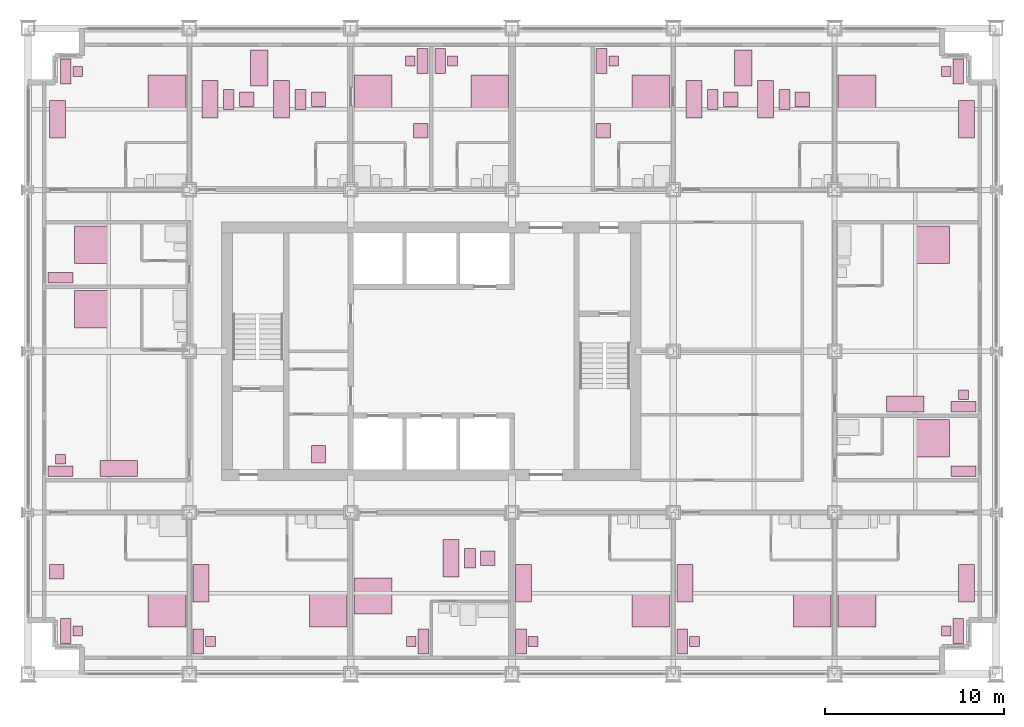
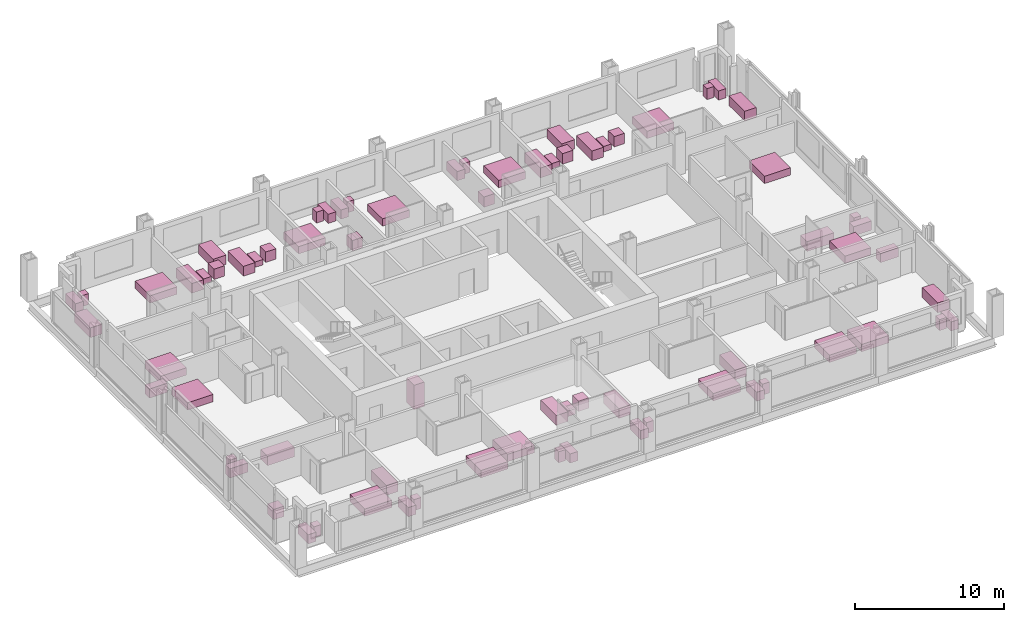
# One storey, part 18 of 18: 72 furniture elements.
"""IFC4 building model written with IfcOpenShell, lengths in metres."""

from ifc_helpers import new_model, si_unit, direction, frame, origin, origin_2d, place, context, subcontext, project, spatial, rectangle, extrude, element, save


model = new_model("IFC4")

# Units and contexts
model_context = context("Model", 3, precision=1e-05, world=origin(), true_north=direction((0.0, 1.0)))
body_context = subcontext(model_context, "Body", "Model", "MODEL_VIEW")
ifc_project = project(units=[si_unit("LENGTHUNIT", "METRE"), si_unit("AREAUNIT", "SQUARE_METRE"), si_unit("VOLUMEUNIT", "CUBIC_METRE"), si_unit("PLANEANGLEUNIT", "RADIAN"), si_unit("MASSUNIT", "GRAM", prefix="KILO")], contexts=[model_context])

# Site, building, storey
site_placement = place(None, origin())
site = spatial("IfcSite", under=ifc_project, at=site_placement, CompositionType="ELEMENT")
building_placement = place(site_placement, origin())
building = spatial("IfcBuilding", under=site, at=building_placement, Name="Loomwork Tower", CompositionType="ELEMENT")
storey_placement = place(building_placement, frame((0.0, 0.0, 41.60009765625)))
storey = spatial("IfcBuildingStorey", under=building, at=storey_placement, Name="L09", CompositionType="ELEMENT", Elevation=41.60009765625)

# Furniture
furniture_1_placement = place(storey_placement, frame((7.75, 3.60009765625, -0.000244140625), z_axis=(0.0, 0.0, 1.0), x_axis=(1.0, 0.0, 0.0)))
element("IfcFurniture", 1, at=furniture_1_placement, inside=storey, Name="King bed L09", PredefinedType="BED", context=body_context, shape_type="SweptSolid", body=[
    extrude(rectangle(XDim=2.10009765625, YDim=2.0, at=origin_2d()), origin(), (0.0, 0.0, 1.0), 0.60009765625),
])
furniture_2_placement = place(storey_placement, frame((2.10009765625, 2.39990234375, 0.0), z_axis=(0.0, 0.0, 1.0), x_axis=(1.0, 0.0, 0.0)))
element("IfcFurniture", 2, at=furniture_2_placement, inside=storey, Name="Writing desk L09", PredefinedType="DESK", context=body_context, shape_type="SweptSolid", body=[
    extrude(rectangle(XDim=0.60009765625, YDim=1.39990234375, at=origin_2d()), origin(), (0.0, 0.0, 1.0), 0.75),
])
furniture_3_placement = place(storey_placement, frame((2.77490234375, 2.39990234375, 0.0), z_axis=(0.0, 0.0, 1.0), x_axis=(1.0, 0.0, 0.0)))
element("IfcFurniture", 3, at=furniture_3_placement, inside=storey, Name="Desk chair L09", PredefinedType="CHAIR", context=body_context, shape_type="SweptSolid", body=[
    extrude(rectangle(XDim=0.550048828125, YDim=0.550048828125, at=origin_2d()), origin(), (0.0, 0.0, 1.0), 0.89990234375),
])
furniture_4_placement = place(storey_placement, frame((1.60009765625, 5.699951171875, -0.000244140625), z_axis=(0.0, 0.0, 1.0), x_axis=(1.0, 0.0, 0.0)))
element("IfcFurniture", 4, at=furniture_4_placement, inside=storey, Name="Lounge armchair L09", PredefinedType="CHAIR", context=body_context, shape_type="SweptSolid", body=[
    extrude(rectangle(XDim=0.800048828125, YDim=0.800048828125, at=origin_2d()), origin(), (0.0, 0.0, 1.0), 0.85009765625),
])
furniture_5_placement = place(storey_placement, frame((16.75, 3.60009765625, -0.000244140625), z_axis=(0.0, 0.0, 1.0), x_axis=(1.0, 0.0, 0.0)))
element("IfcFurniture", 5, at=furniture_5_placement, inside=storey, Name="King bed L09", PredefinedType="BED", context=body_context, shape_type="SweptSolid", body=[
    extrude(rectangle(XDim=2.10009765625, YDim=2.0, at=origin_2d()), origin(), (0.0, 0.0, 1.0), 0.60009765625),
])
furniture_6_placement = place(storey_placement, frame((9.5, 1.800048828125, 0.0), z_axis=(0.0, 0.0, 1.0), x_axis=(1.0, 0.0, 0.0)))
element("IfcFurniture", 6, at=furniture_6_placement, inside=storey, Name="Writing desk L09", PredefinedType="DESK", context=body_context, shape_type="SweptSolid", body=[
    extrude(rectangle(XDim=0.60009765625, YDim=1.39990234375, at=origin_2d()), origin(), (0.0, 0.0, 1.0), 0.75),
])
furniture_7_placement = place(storey_placement, frame((10.175048828125, 1.800048828125, 0.0), z_axis=(0.0, 0.0, 1.0), x_axis=(1.0, 0.0, 0.0)))
element("IfcFurniture", 7, at=furniture_7_placement, inside=storey, Name="Desk chair L09", PredefinedType="CHAIR", context=body_context, shape_type="SweptSolid", body=[
    extrude(rectangle(XDim=0.550048828125, YDim=0.550048828125, at=origin_2d()), origin(), (0.0, 0.0, 1.0), 0.89990234375),
])
furniture_8_placement = place(storey_placement, frame((9.64990234375, 5.050048828125, 0.0), z_axis=(0.0, 0.0, 1.0), x_axis=(1.0, 0.0, 0.0)))
element("IfcFurniture", 8, at=furniture_8_placement, inside=storey, Name="Sofa L09", PredefinedType="SOFA", context=body_context, shape_type="SweptSolid", body=[
    extrude(rectangle(XDim=0.89990234375, YDim=2.10009765625, at=origin_2d()), origin(), (0.0, 0.0, 1.0), 0.800048828125),
])
furniture_9_placement = place(storey_placement, frame((19.25, 4.35009765625, -0.000244140625), z_axis=(0.0, 0.0, 1.0), x_axis=(1.0, 0.0, 0.0)))
element("IfcFurniture", 9, at=furniture_9_placement, inside=storey, Name="King bed L09", PredefinedType="BED", context=body_context, shape_type="SweptSolid", body=[
    extrude(rectangle(XDim=2.10009765625, YDim=2.0, at=origin_2d()), origin(), (0.0, 0.0, 1.0), 0.60009765625),
])
furniture_10_placement = place(storey_placement, frame((22.050048828125, 1.800048828125, 0.0), z_axis=(0.0, 0.0, 1.0), x_axis=(1.0, 0.0, 0.0)))
element("IfcFurniture", 10, at=furniture_10_placement, inside=storey, Name="Writing desk L09", PredefinedType="DESK", context=body_context, shape_type="SweptSolid", body=[
    extrude(rectangle(XDim=0.60009765625, YDim=1.39990234375, at=origin_2d()), origin(), (0.0, 0.0, 1.0), 0.75),
])
furniture_11_placement = place(storey_placement, frame((21.375, 1.800048828125, 0.0), z_axis=(0.0, 0.0, 1.0), x_axis=(1.0, 0.0, 0.0)))
element("IfcFurniture", 11, at=furniture_11_placement, inside=storey, Name="Desk chair L09", PredefinedType="CHAIR", context=body_context, shape_type="SweptSolid", body=[
    extrude(rectangle(XDim=0.550048828125, YDim=0.550048828125, at=origin_2d()), origin(), (0.0, 0.0, 1.0), 0.89990234375),
])
furniture_12_placement = place(storey_placement, frame((23.60009765625, 6.449951171875, 0.0), z_axis=(0.0, 0.0, 1.0), x_axis=(1.0, 0.0, 0.0)))
element("IfcFurniture", 12, at=furniture_12_placement, inside=storey, Name="Sofa L09", PredefinedType="SOFA", context=body_context, shape_type="SweptSolid", body=[
    extrude(rectangle(XDim=0.89990234375, YDim=2.10009765625, at=origin_2d()), origin(), (0.0, 0.0, 1.0), 0.800048828125),
])
furniture_13_placement = place(storey_placement, frame((24.64990234375, 6.449951171875, 0.0), z_axis=(0.0, 0.0, 1.0), x_axis=(1.0, 0.0, 0.0)))
element("IfcFurniture", 13, at=furniture_13_placement, inside=storey, Name="Coffee table L09", PredefinedType="TABLE", context=body_context, shape_type="SweptSolid", body=[
    extrude(rectangle(XDim=0.60009765625, YDim=1.10009765625, at=origin_2d()), origin(), (0.0, 0.0, 1.0), 0.449951171875),
])
furniture_14_placement = place(storey_placement, frame((25.64990234375, 6.449951171875, -0.000244140625), z_axis=(0.0, 0.0, 1.0), x_axis=(1.0, 0.0, 0.0)))
element("IfcFurniture", 14, at=furniture_14_placement, inside=storey, Name="Lounge armchair L09", PredefinedType="CHAIR", context=body_context, shape_type="SweptSolid", body=[
    extrude(rectangle(XDim=0.800048828125, YDim=0.800048828125, at=origin_2d()), origin(), (0.0, 0.0, 1.0), 0.85009765625),
])
furniture_15_placement = place(storey_placement, frame((34.75, 3.60009765625, -0.000244140625), z_axis=(0.0, 0.0, 1.0), x_axis=(1.0, 0.0, 0.0)))
element("IfcFurniture", 15, at=furniture_15_placement, inside=storey, Name="King bed L09", PredefinedType="BED", context=body_context, shape_type="SweptSolid", body=[
    extrude(rectangle(XDim=2.10009765625, YDim=2.0, at=origin_2d()), origin(), (0.0, 0.0, 1.0), 0.60009765625),
])
furniture_16_placement = place(storey_placement, frame((27.5, 1.800048828125, 0.0), z_axis=(0.0, 0.0, 1.0), x_axis=(1.0, 0.0, 0.0)))
element("IfcFurniture", 16, at=furniture_16_placement, inside=storey, Name="Writing desk L09", PredefinedType="DESK", context=body_context, shape_type="SweptSolid", body=[
    extrude(rectangle(XDim=0.60009765625, YDim=1.39990234375, at=origin_2d()), origin(), (0.0, 0.0, 1.0), 0.75),
])
furniture_17_placement = place(storey_placement, frame((28.175048828125, 1.800048828125, 0.0), z_axis=(0.0, 0.0, 1.0), x_axis=(1.0, 0.0, 0.0)))
element("IfcFurniture", 17, at=furniture_17_placement, inside=storey, Name="Desk chair L09", PredefinedType="CHAIR", context=body_context, shape_type="SweptSolid", body=[
    extrude(rectangle(XDim=0.550048828125, YDim=0.550048828125, at=origin_2d()), origin(), (0.0, 0.0, 1.0), 0.89990234375),
])
furniture_18_placement = place(storey_placement, frame((27.64990234375, 5.050048828125, 0.0), z_axis=(0.0, 0.0, 1.0), x_axis=(1.0, 0.0, 0.0)))
element("IfcFurniture", 18, at=furniture_18_placement, inside=storey, Name="Sofa L09", PredefinedType="SOFA", context=body_context, shape_type="SweptSolid", body=[
    extrude(rectangle(XDim=0.89990234375, YDim=2.10009765625, at=origin_2d()), origin(), (0.0, 0.0, 1.0), 0.800048828125),
])
furniture_19_placement = place(storey_placement, frame((43.75, 3.60009765625, -0.000244140625), z_axis=(0.0, 0.0, 1.0), x_axis=(1.0, 0.0, 0.0)))
element("IfcFurniture", 19, at=furniture_19_placement, inside=storey, Name="King bed L09", PredefinedType="BED", context=body_context, shape_type="SweptSolid", body=[
    extrude(rectangle(XDim=2.10009765625, YDim=2.0, at=origin_2d()), origin(), (0.0, 0.0, 1.0), 0.60009765625),
])
furniture_20_placement = place(storey_placement, frame((36.5, 1.800048828125, 0.0), z_axis=(0.0, 0.0, 1.0), x_axis=(1.0, 0.0, 0.0)))
element("IfcFurniture", 20, at=furniture_20_placement, inside=storey, Name="Writing desk L09", PredefinedType="DESK", context=body_context, shape_type="SweptSolid", body=[
    extrude(rectangle(XDim=0.60009765625, YDim=1.39990234375, at=origin_2d()), origin(), (0.0, 0.0, 1.0), 0.75),
])
furniture_21_placement = place(storey_placement, frame((37.175048828125, 1.800048828125, 0.0), z_axis=(0.0, 0.0, 1.0), x_axis=(1.0, 0.0, 0.0)))
element("IfcFurniture", 21, at=furniture_21_placement, inside=storey, Name="Desk chair L09", PredefinedType="CHAIR", context=body_context, shape_type="SweptSolid", body=[
    extrude(rectangle(XDim=0.550048828125, YDim=0.550048828125, at=origin_2d()), origin(), (0.0, 0.0, 1.0), 0.89990234375),
])
furniture_22_placement = place(storey_placement, frame((36.64990234375, 5.050048828125, 0.0), z_axis=(0.0, 0.0, 1.0), x_axis=(1.0, 0.0, 0.0)))
element("IfcFurniture", 22, at=furniture_22_placement, inside=storey, Name="Sofa L09", PredefinedType="SOFA", context=body_context, shape_type="SweptSolid", body=[
    extrude(rectangle(XDim=0.89990234375, YDim=2.10009765625, at=origin_2d()), origin(), (0.0, 0.0, 1.0), 0.800048828125),
])
furniture_23_placement = place(storey_placement, frame((46.25, 3.60009765625, -0.000244140625), z_axis=(0.0, 0.0, 1.0), x_axis=(1.0, 0.0, 0.0)))
element("IfcFurniture", 23, at=furniture_23_placement, inside=storey, Name="King bed L09", PredefinedType="BED", context=body_context, shape_type="SweptSolid", body=[
    extrude(rectangle(XDim=2.10009765625, YDim=2.0, at=origin_2d()), origin(), (0.0, 0.0, 1.0), 0.60009765625),
])
furniture_24_placement = place(storey_placement, frame((51.89990234375, 2.39990234375, 0.0), z_axis=(0.0, 0.0, 1.0), x_axis=(1.0, 0.0, 0.0)))
element("IfcFurniture", 24, at=furniture_24_placement, inside=storey, Name="Writing desk L09", PredefinedType="DESK", context=body_context, shape_type="SweptSolid", body=[
    extrude(rectangle(XDim=0.60009765625, YDim=1.39990234375, at=origin_2d()), origin(), (0.0, 0.0, 1.0), 0.75),
])
furniture_25_placement = place(storey_placement, frame((51.22509765625, 2.39990234375, 0.0), z_axis=(0.0, 0.0, 1.0), x_axis=(1.0, 0.0, 0.0)))
element("IfcFurniture", 25, at=furniture_25_placement, inside=storey, Name="Desk chair L09", PredefinedType="CHAIR", context=body_context, shape_type="SweptSolid", body=[
    extrude(rectangle(XDim=0.550048828125, YDim=0.550048828125, at=origin_2d()), origin(), (0.0, 0.0, 1.0), 0.89990234375),
])
furniture_26_placement = place(storey_placement, frame((52.35009765625, 5.050048828125, 0.0), z_axis=(0.0, 0.0, 1.0), x_axis=(1.0, 0.0, 0.0)))
element("IfcFurniture", 26, at=furniture_26_placement, inside=storey, Name="Sofa L09", PredefinedType="SOFA", context=body_context, shape_type="SweptSolid", body=[
    extrude(rectangle(XDim=0.89990234375, YDim=2.10009765625, at=origin_2d()), origin(), (0.0, 0.0, 1.0), 0.800048828125),
])
furniture_27_placement = place(storey_placement, frame((7.75, 32.39990234375, -0.000244140625), z_axis=(0.0, 0.0, 1.0), x_axis=(1.0, 0.0, 0.0)))
element("IfcFurniture", 27, at=furniture_27_placement, inside=storey, Name="King bed L09", PredefinedType="BED", context=body_context, shape_type="SweptSolid", body=[
    extrude(rectangle(XDim=2.10009765625, YDim=2.0, at=origin_2d()), origin(), (0.0, 0.0, 1.0), 0.60009765625),
])
furniture_28_placement = place(storey_placement, frame((2.10009765625, 33.60009765625, 0.0), z_axis=(0.0, 0.0, 1.0), x_axis=(1.0, 0.0, 0.0)))
element("IfcFurniture", 28, at=furniture_28_placement, inside=storey, Name="Writing desk L09", PredefinedType="DESK", context=body_context, shape_type="SweptSolid", body=[
    extrude(rectangle(XDim=0.60009765625, YDim=1.39990234375, at=origin_2d()), origin(), (0.0, 0.0, 1.0), 0.75),
])
furniture_29_placement = place(storey_placement, frame((2.77490234375, 33.60009765625, 0.0), z_axis=(0.0, 0.0, 1.0), x_axis=(1.0, 0.0, 0.0)))
element("IfcFurniture", 29, at=furniture_29_placement, inside=storey, Name="Desk chair L09", PredefinedType="CHAIR", context=body_context, shape_type="SweptSolid", body=[
    extrude(rectangle(XDim=0.550048828125, YDim=0.550048828125, at=origin_2d()), origin(), (0.0, 0.0, 1.0), 0.89990234375),
])
for number, where, z_axis, x_axis, name in (
    (30, (1.64990234375, 30.949951171875, 0.0), (0.0, 0.0, 1.0), (1.0, 0.0, 0.0), "Sofa L09"),
    (31, (10.14990234375, 32.050048828125, 0.0), (0.0, 0.0, 1.0), (1.0, 0.0, 0.0), "Sofa L09"),
):
    element("IfcFurniture", number, at=place(storey_placement, frame(where, z_axis=z_axis, x_axis=x_axis)), inside=storey, Name=name, PredefinedType="SOFA", context=body_context, shape_type="SweptSolid", body=[
        extrude(rectangle(XDim=0.89990234375, YDim=2.10009765625, at=origin_2d()), origin(), (0.0, 0.0, 1.0), 0.800048828125),
    ])
furniture_30_placement = place(storey_placement, frame((11.199951171875, 32.050048828125, 0.0), z_axis=(0.0, 0.0, 1.0), x_axis=(1.0, 0.0, 0.0)))
element("IfcFurniture", 32, at=furniture_30_placement, inside=storey, Name="Coffee table L09", PredefinedType="TABLE", context=body_context, shape_type="SweptSolid", body=[
    extrude(rectangle(XDim=0.60009765625, YDim=1.10009765625, at=origin_2d()), origin(), (0.0, 0.0, 1.0), 0.449951171875),
])
furniture_31_placement = place(storey_placement, frame((12.199951171875, 32.050048828125, -0.000244140625), z_axis=(0.0, 0.0, 1.0), x_axis=(1.0, 0.0, 0.0)))
element("IfcFurniture", 33, at=furniture_31_placement, inside=storey, Name="Lounge armchair L09", PredefinedType="CHAIR", context=body_context, shape_type="SweptSolid", body=[
    extrude(rectangle(XDim=0.800048828125, YDim=0.800048828125, at=origin_2d()), origin(), (0.0, 0.0, 1.0), 0.85009765625),
])
furniture_32_placement = place(storey_placement, frame((14.14990234375, 32.050048828125, 0.0), z_axis=(0.0, 0.0, 1.0), x_axis=(1.0, 0.0, 0.0)))
element("IfcFurniture", 34, at=furniture_32_placement, inside=storey, Name="Sofa L09", PredefinedType="SOFA", context=body_context, shape_type="SweptSolid", body=[
    extrude(rectangle(XDim=0.89990234375, YDim=2.10009765625, at=origin_2d()), origin(), (0.0, 0.0, 1.0), 0.800048828125),
])
furniture_33_placement = place(storey_placement, frame((15.199951171875, 32.050048828125, 0.0), z_axis=(0.0, 0.0, 1.0), x_axis=(1.0, 0.0, 0.0)))
element("IfcFurniture", 35, at=furniture_33_placement, inside=storey, Name="Coffee table L09", PredefinedType="TABLE", context=body_context, shape_type="SweptSolid", body=[
    extrude(rectangle(XDim=0.60009765625, YDim=1.10009765625, at=origin_2d()), origin(), (0.0, 0.0, 1.0), 0.449951171875),
])
furniture_34_placement = place(storey_placement, frame((16.199951171875, 32.050048828125, -0.000244140625), z_axis=(0.0, 0.0, 1.0), x_axis=(1.0, 0.0, 0.0)))
element("IfcFurniture", 36, at=furniture_34_placement, inside=storey, Name="Lounge armchair L09", PredefinedType="CHAIR", context=body_context, shape_type="SweptSolid", body=[
    extrude(rectangle(XDim=0.800048828125, YDim=0.800048828125, at=origin_2d()), origin(), (0.0, 0.0, 1.0), 0.85009765625),
])
furniture_35_placement = place(storey_placement, frame((12.89990234375, 33.800048828125, 0.0), z_axis=(0.0, 0.0, 1.0), x_axis=(1.0, 0.0, 0.0)))
element("IfcFurniture", 37, at=furniture_35_placement, inside=storey, Name="Dining table L09", PredefinedType="TABLE", context=body_context, shape_type="SweptSolid", body=[
    extrude(rectangle(XDim=1.0, YDim=2.0, at=origin_2d()), origin(), (0.0, 0.0, 1.0), 0.75),
])
furniture_36_placement = place(storey_placement, frame((19.25, 32.39990234375, -0.000244140625), z_axis=(0.0, 0.0, 1.0), x_axis=(1.0, 0.0, 0.0)))
element("IfcFurniture", 38, at=furniture_36_placement, inside=storey, Name="King bed L09", PredefinedType="BED", context=body_context, shape_type="SweptSolid", body=[
    extrude(rectangle(XDim=2.10009765625, YDim=2.0, at=origin_2d()), origin(), (0.0, 0.0, 1.0), 0.60009765625),
])
furniture_37_placement = place(storey_placement, frame((22.0, 34.199951171875, 0.0), z_axis=(0.0, 0.0, 1.0), x_axis=(1.0, 0.0, 0.0)))
element("IfcFurniture", 39, at=furniture_37_placement, inside=storey, Name="Writing desk L09", PredefinedType="DESK", context=body_context, shape_type="SweptSolid", body=[
    extrude(rectangle(XDim=0.60009765625, YDim=1.39990234375, at=origin_2d()), origin(), (0.0, 0.0, 1.0), 0.75),
])
furniture_38_placement = place(storey_placement, frame((21.324951171875, 34.199951171875, 0.0), z_axis=(0.0, 0.0, 1.0), x_axis=(1.0, 0.0, 0.0)))
element("IfcFurniture", 40, at=furniture_38_placement, inside=storey, Name="Desk chair L09", PredefinedType="CHAIR", context=body_context, shape_type="SweptSolid", body=[
    extrude(rectangle(XDim=0.550048828125, YDim=0.550048828125, at=origin_2d()), origin(), (0.0, 0.0, 1.0), 0.89990234375),
])
furniture_39_placement = place(storey_placement, frame((21.89990234375, 30.300048828125, -0.000244140625), z_axis=(0.0, 0.0, 1.0), x_axis=(1.0, 0.0, 0.0)))
element("IfcFurniture", 41, at=furniture_39_placement, inside=storey, Name="Lounge armchair L09", PredefinedType="CHAIR", context=body_context, shape_type="SweptSolid", body=[
    extrude(rectangle(XDim=0.800048828125, YDim=0.800048828125, at=origin_2d()), origin(), (0.0, 0.0, 1.0), 0.85009765625),
])
furniture_40_placement = place(storey_placement, frame((25.75, 32.39990234375, -0.000244140625), z_axis=(0.0, 0.0, 1.0), x_axis=(1.0, 0.0, 0.0)))
element("IfcFurniture", 42, at=furniture_40_placement, inside=storey, Name="King bed L09", PredefinedType="BED", context=body_context, shape_type="SweptSolid", body=[
    extrude(rectangle(XDim=2.10009765625, YDim=2.0, at=origin_2d()), origin(), (0.0, 0.0, 1.0), 0.60009765625),
])
furniture_41_placement = place(storey_placement, frame((23.0, 34.199951171875, 0.0), z_axis=(0.0, 0.0, 1.0), x_axis=(1.0, 0.0, 0.0)))
element("IfcFurniture", 43, at=furniture_41_placement, inside=storey, Name="Writing desk L09", PredefinedType="DESK", context=body_context, shape_type="SweptSolid", body=[
    extrude(rectangle(XDim=0.60009765625, YDim=1.39990234375, at=origin_2d()), origin(), (0.0, 0.0, 1.0), 0.75),
])
furniture_42_placement = place(storey_placement, frame((23.675048828125, 34.199951171875, 0.0), z_axis=(0.0, 0.0, 1.0), x_axis=(1.0, 0.0, 0.0)))
element("IfcFurniture", 44, at=furniture_42_placement, inside=storey, Name="Desk chair L09", PredefinedType="CHAIR", context=body_context, shape_type="SweptSolid", body=[
    extrude(rectangle(XDim=0.550048828125, YDim=0.550048828125, at=origin_2d()), origin(), (0.0, 0.0, 1.0), 0.89990234375),
])
furniture_43_placement = place(storey_placement, frame((34.75, 32.39990234375, -0.000244140625), z_axis=(0.0, 0.0, 1.0), x_axis=(1.0, 0.0, 0.0)))
element("IfcFurniture", 45, at=furniture_43_placement, inside=storey, Name="King bed L09", PredefinedType="BED", context=body_context, shape_type="SweptSolid", body=[
    extrude(rectangle(XDim=2.10009765625, YDim=2.0, at=origin_2d()), origin(), (0.0, 0.0, 1.0), 0.60009765625),
])
furniture_44_placement = place(storey_placement, frame((32.0, 34.199951171875, 0.0), z_axis=(0.0, 0.0, 1.0), x_axis=(1.0, 0.0, 0.0)))
element("IfcFurniture", 46, at=furniture_44_placement, inside=storey, Name="Writing desk L09", PredefinedType="DESK", context=body_context, shape_type="SweptSolid", body=[
    extrude(rectangle(XDim=0.60009765625, YDim=1.39990234375, at=origin_2d()), origin(), (0.0, 0.0, 1.0), 0.75),
])
furniture_45_placement = place(storey_placement, frame((32.675048828125, 34.199951171875, 0.0), z_axis=(0.0, 0.0, 1.0), x_axis=(1.0, 0.0, 0.0)))
element("IfcFurniture", 47, at=furniture_45_placement, inside=storey, Name="Desk chair L09", PredefinedType="CHAIR", context=body_context, shape_type="SweptSolid", body=[
    extrude(rectangle(XDim=0.550048828125, YDim=0.550048828125, at=origin_2d()), origin(), (0.0, 0.0, 1.0), 0.89990234375),
])
furniture_46_placement = place(storey_placement, frame((32.10009765625, 30.300048828125, -0.000244140625), z_axis=(0.0, 0.0, 1.0), x_axis=(1.0, 0.0, 0.0)))
element("IfcFurniture", 48, at=furniture_46_placement, inside=storey, Name="Lounge armchair L09", PredefinedType="CHAIR", context=body_context, shape_type="SweptSolid", body=[
    extrude(rectangle(XDim=0.800048828125, YDim=0.800048828125, at=origin_2d()), origin(), (0.0, 0.0, 1.0), 0.85009765625),
])
furniture_47_placement = place(storey_placement, frame((37.14990234375, 32.050048828125, 0.0), z_axis=(0.0, 0.0, 1.0), x_axis=(1.0, 0.0, 0.0)))
element("IfcFurniture", 49, at=furniture_47_placement, inside=storey, Name="Sofa L09", PredefinedType="SOFA", context=body_context, shape_type="SweptSolid", body=[
    extrude(rectangle(XDim=0.89990234375, YDim=2.10009765625, at=origin_2d()), origin(), (0.0, 0.0, 1.0), 0.800048828125),
])
furniture_48_placement = place(storey_placement, frame((38.199951171875, 32.050048828125, 0.0), z_axis=(0.0, 0.0, 1.0), x_axis=(1.0, 0.0, 0.0)))
element("IfcFurniture", 50, at=furniture_48_placement, inside=storey, Name="Coffee table L09", PredefinedType="TABLE", context=body_context, shape_type="SweptSolid", body=[
    extrude(rectangle(XDim=0.60009765625, YDim=1.10009765625, at=origin_2d()), origin(), (0.0, 0.0, 1.0), 0.449951171875),
])
furniture_49_placement = place(storey_placement, frame((39.199951171875, 32.050048828125, -0.000244140625), z_axis=(0.0, 0.0, 1.0), x_axis=(1.0, 0.0, 0.0)))
element("IfcFurniture", 51, at=furniture_49_placement, inside=storey, Name="Lounge armchair L09", PredefinedType="CHAIR", context=body_context, shape_type="SweptSolid", body=[
    extrude(rectangle(XDim=0.800048828125, YDim=0.800048828125, at=origin_2d()), origin(), (0.0, 0.0, 1.0), 0.85009765625),
])
furniture_50_placement = place(storey_placement, frame((41.14990234375, 32.050048828125, 0.0), z_axis=(0.0, 0.0, 1.0), x_axis=(1.0, 0.0, 0.0)))
element("IfcFurniture", 52, at=furniture_50_placement, inside=storey, Name="Sofa L09", PredefinedType="SOFA", context=body_context, shape_type="SweptSolid", body=[
    extrude(rectangle(XDim=0.89990234375, YDim=2.10009765625, at=origin_2d()), origin(), (0.0, 0.0, 1.0), 0.800048828125),
])
furniture_51_placement = place(storey_placement, frame((42.199951171875, 32.050048828125, 0.0), z_axis=(0.0, 0.0, 1.0), x_axis=(1.0, 0.0, 0.0)))
element("IfcFurniture", 53, at=furniture_51_placement, inside=storey, Name="Coffee table L09", PredefinedType="TABLE", context=body_context, shape_type="SweptSolid", body=[
    extrude(rectangle(XDim=0.60009765625, YDim=1.10009765625, at=origin_2d()), origin(), (0.0, 0.0, 1.0), 0.449951171875),
])
furniture_52_placement = place(storey_placement, frame((43.199951171875, 32.050048828125, -0.000244140625), z_axis=(0.0, 0.0, 1.0), x_axis=(1.0, 0.0, 0.0)))
element("IfcFurniture", 54, at=furniture_52_placement, inside=storey, Name="Lounge armchair L09", PredefinedType="CHAIR", context=body_context, shape_type="SweptSolid", body=[
    extrude(rectangle(XDim=0.800048828125, YDim=0.800048828125, at=origin_2d()), origin(), (0.0, 0.0, 1.0), 0.85009765625),
])
furniture_53_placement = place(storey_placement, frame((39.89990234375, 33.800048828125, 0.0), z_axis=(0.0, 0.0, 1.0), x_axis=(1.0, 0.0, 0.0)))
element("IfcFurniture", 55, at=furniture_53_placement, inside=storey, Name="Dining table L09", PredefinedType="TABLE", context=body_context, shape_type="SweptSolid", body=[
    extrude(rectangle(XDim=1.0, YDim=2.0, at=origin_2d()), origin(), (0.0, 0.0, 1.0), 0.75),
])
furniture_54_placement = place(storey_placement, frame((46.25, 32.39990234375, -0.000244140625), z_axis=(0.0, 0.0, 1.0), x_axis=(1.0, 0.0, 0.0)))
element("IfcFurniture", 56, at=furniture_54_placement, inside=storey, Name="King bed L09", PredefinedType="BED", context=body_context, shape_type="SweptSolid", body=[
    extrude(rectangle(XDim=2.10009765625, YDim=2.0, at=origin_2d()), origin(), (0.0, 0.0, 1.0), 0.60009765625),
])
furniture_55_placement = place(storey_placement, frame((51.89990234375, 33.60009765625, 0.0), z_axis=(0.0, 0.0, 1.0), x_axis=(1.0, 0.0, 0.0)))
element("IfcFurniture", 57, at=furniture_55_placement, inside=storey, Name="Writing desk L09", PredefinedType="DESK", context=body_context, shape_type="SweptSolid", body=[
    extrude(rectangle(XDim=0.60009765625, YDim=1.39990234375, at=origin_2d()), origin(), (0.0, 0.0, 1.0), 0.75),
])
furniture_56_placement = place(storey_placement, frame((51.22509765625, 33.60009765625, 0.0), z_axis=(0.0, 0.0, 1.0), x_axis=(1.0, 0.0, 0.0)))
element("IfcFurniture", 58, at=furniture_56_placement, inside=storey, Name="Desk chair L09", PredefinedType="CHAIR", context=body_context, shape_type="SweptSolid", body=[
    extrude(rectangle(XDim=0.550048828125, YDim=0.550048828125, at=origin_2d()), origin(), (0.0, 0.0, 1.0), 0.89990234375),
])
furniture_57_placement = place(storey_placement, frame((52.35009765625, 30.949951171875, 0.0), z_axis=(0.0, 0.0, 1.0), x_axis=(1.0, 0.0, 0.0)))
element("IfcFurniture", 59, at=furniture_57_placement, inside=storey, Name="Sofa L09", PredefinedType="SOFA", context=body_context, shape_type="SweptSolid", body=[
    extrude(rectangle(XDim=0.89990234375, YDim=2.10009765625, at=origin_2d()), origin(), (0.0, 0.0, 1.0), 0.800048828125),
])
furniture_58_placement = place(storey_placement, frame((3.60009765625, 20.35009765625, -0.000244140625), z_axis=(0.0, 0.0, 1.0), x_axis=(1.0, 0.0, 0.0)))
element("IfcFurniture", 60, at=furniture_58_placement, inside=storey, Name="King bed L09", PredefinedType="BED", context=body_context, shape_type="SweptSolid", body=[
    extrude(rectangle(XDim=2.0, YDim=2.10009765625, at=origin_2d()), origin(), (0.0, 0.0, 1.0), 0.60009765625),
])
furniture_59_placement = place(storey_placement, frame((1.800048828125, 11.300048828125, 0.0), z_axis=(0.0, 0.0, 1.0), x_axis=(1.0, 0.0, 0.0)))
element("IfcFurniture", 61, at=furniture_59_placement, inside=storey, Name="Writing desk L09", PredefinedType="DESK", context=body_context, shape_type="SweptSolid", body=[
    extrude(rectangle(XDim=1.39990234375, YDim=0.60009765625, at=origin_2d()), origin(), (0.0, 0.0, 1.0), 0.75),
])
furniture_60_placement = place(storey_placement, frame((1.800048828125, 11.97509765625, 0.0), z_axis=(0.0, 0.0, 1.0), x_axis=(1.0, 0.0, 0.0)))
element("IfcFurniture", 62, at=furniture_60_placement, inside=storey, Name="Desk chair L09", PredefinedType="CHAIR", context=body_context, shape_type="SweptSolid", body=[
    extrude(rectangle(XDim=0.550048828125, YDim=0.550048828125, at=origin_2d()), origin(), (0.0, 0.0, 1.0), 0.89990234375),
])
furniture_61_placement = place(storey_placement, frame((5.050048828125, 11.449951171875, 0.0), z_axis=(0.0, 0.0, 1.0), x_axis=(1.0, 0.0, 0.0)))
element("IfcFurniture", 63, at=furniture_61_placement, inside=storey, Name="Sofa L09", PredefinedType="SOFA", context=body_context, shape_type="SweptSolid", body=[
    extrude(rectangle(XDim=2.10009765625, YDim=0.89990234375, at=origin_2d()), origin(), (0.0, 0.0, 1.0), 0.800048828125),
])
furniture_62_placement = place(storey_placement, frame((3.60009765625, 23.949951171875, -0.000244140625), z_axis=(0.0, 0.0, 1.0), x_axis=(1.0, 0.0, 0.0)))
element("IfcFurniture", 64, at=furniture_62_placement, inside=storey, Name="King bed L09", PredefinedType="BED", context=body_context, shape_type="SweptSolid", body=[
    extrude(rectangle(XDim=2.0, YDim=2.10009765625, at=origin_2d()), origin(), (0.0, 0.0, 1.0), 0.60009765625),
])
furniture_63_placement = place(storey_placement, frame((1.800048828125, 22.10009765625, 0.0), z_axis=(0.0, 0.0, 1.0), x_axis=(1.0, 0.0, 0.0)))
element("IfcFurniture", 65, at=furniture_63_placement, inside=storey, Name="Writing desk L09", PredefinedType="DESK", context=body_context, shape_type="SweptSolid", body=[
    extrude(rectangle(XDim=1.39990234375, YDim=0.60009765625, at=origin_2d()), origin(), (0.0, 0.0, 1.0), 0.75),
])
furniture_64_placement = place(storey_placement, frame((50.39990234375, 13.14990234375, -0.000244140625), z_axis=(0.0, 0.0, 1.0), x_axis=(1.0, 0.0, 0.0)))
element("IfcFurniture", 66, at=furniture_64_placement, inside=storey, Name="King bed L09", PredefinedType="BED", context=body_context, shape_type="SweptSolid", body=[
    extrude(rectangle(XDim=2.0, YDim=2.10009765625, at=origin_2d()), origin(), (0.0, 0.0, 1.0), 0.60009765625),
])
furniture_65_placement = place(storey_placement, frame((52.199951171875, 11.300048828125, 0.0), z_axis=(0.0, 0.0, 1.0), x_axis=(1.0, 0.0, 0.0)))
element("IfcFurniture", 67, at=furniture_65_placement, inside=storey, Name="Writing desk L09", PredefinedType="DESK", context=body_context, shape_type="SweptSolid", body=[
    extrude(rectangle(XDim=1.39990234375, YDim=0.60009765625, at=origin_2d()), origin(), (0.0, 0.0, 1.0), 0.75),
])
furniture_66_placement = place(storey_placement, frame((50.39990234375, 23.949951171875, -0.000244140625), z_axis=(0.0, 0.0, 1.0), x_axis=(1.0, 0.0, 0.0)))
element("IfcFurniture", 68, at=furniture_66_placement, inside=storey, Name="King bed L09", PredefinedType="BED", context=body_context, shape_type="SweptSolid", body=[
    extrude(rectangle(XDim=2.0, YDim=2.10009765625, at=origin_2d()), origin(), (0.0, 0.0, 1.0), 0.60009765625),
])
furniture_67_placement = place(storey_placement, frame((52.199951171875, 14.89990234375, 0.0), z_axis=(0.0, 0.0, 1.0), x_axis=(1.0, 0.0, 0.0)))
element("IfcFurniture", 69, at=furniture_67_placement, inside=storey, Name="Writing desk L09", PredefinedType="DESK", context=body_context, shape_type="SweptSolid", body=[
    extrude(rectangle(XDim=1.39990234375, YDim=0.60009765625, at=origin_2d()), origin(), (0.0, 0.0, 1.0), 0.75),
])
furniture_68_placement = place(storey_placement, frame((52.199951171875, 15.574951171875, 0.0), z_axis=(0.0, 0.0, 1.0), x_axis=(1.0, 0.0, 0.0)))
element("IfcFurniture", 70, at=furniture_68_placement, inside=storey, Name="Desk chair L09", PredefinedType="CHAIR", context=body_context, shape_type="SweptSolid", body=[
    extrude(rectangle(XDim=0.550048828125, YDim=0.550048828125, at=origin_2d()), origin(), (0.0, 0.0, 1.0), 0.89990234375),
])
furniture_69_placement = place(storey_placement, frame((48.949951171875, 15.050048828125, 0.0), z_axis=(0.0, 0.0, 1.0), x_axis=(1.0, 0.0, 0.0)))
element("IfcFurniture", 71, at=furniture_69_placement, inside=storey, Name="Sofa L09", PredefinedType="SOFA", context=body_context, shape_type="SweptSolid", body=[
    extrude(rectangle(XDim=2.10009765625, YDim=0.89990234375, at=origin_2d()), origin(), (0.0, 0.0, 1.0), 0.800048828125),
])
furniture_70_placement = place(storey_placement, frame((16.199951171875, 12.25, 0.0), z_axis=(0.0, 0.0, 1.0), x_axis=(1.0, 0.0, 0.0)))
element("IfcFurniture", 72, at=furniture_70_placement, inside=storey, Name="Data cabinet L09", ObjectType="DATA CABINET", PredefinedType="USERDEFINED", context=body_context, shape_type="SweptSolid", body=[
    extrude(rectangle(XDim=0.800048828125, YDim=1.0, at=origin_2d()), origin(), (0.0, 0.0, 1.0), 2.0),
])

save(model, "model.ifc")
